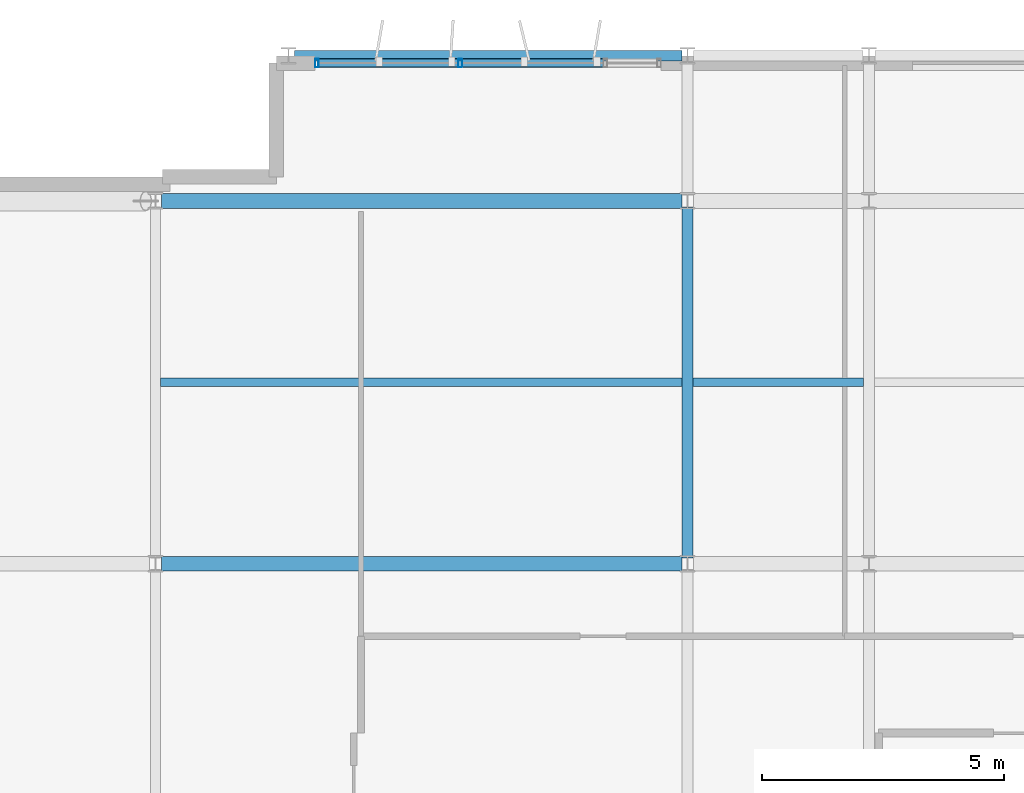
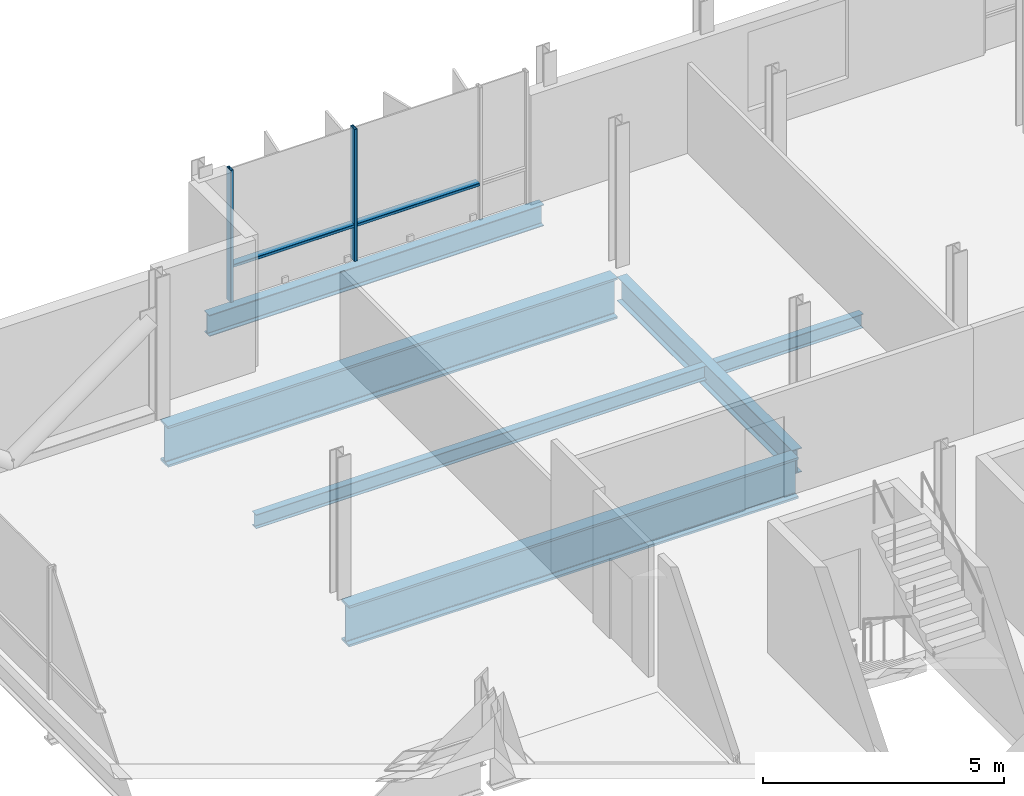
# One storey, part 5 of 18: 6 beams, 4 members, 1 element without a shape of its own.
"""IFC4 building model written with IfcOpenShell, lengths in metres."""

from ifc_helpers import new_model, si_unit, direction, frame, origin, origin_2d, place, context, subcontext, project, spatial, hollow_rectangle, i_section, extrude, material, layer, layer_set, material_profile, profile_set, type_object, element, aggregate, save


model = new_model("IFC4")

# Units and contexts
model_context = context("Model", 3, precision=1e-05, world=origin(), true_north=direction((0.0, 1.0)))
body_context = subcontext(model_context, "Body", "Model", "MODEL_VIEW")
ifc_project = project(units=[si_unit("LENGTHUNIT", "METRE"), si_unit("AREAUNIT", "SQUARE_METRE"), si_unit("VOLUMEUNIT", "CUBIC_METRE"), si_unit("PLANEANGLEUNIT", "RADIAN"), si_unit("MASSUNIT", "GRAM", prefix="KILO")], contexts=[model_context])

# Site, building, storey
site_placement = place(None, origin())
site = spatial("IfcSite", under=ifc_project, at=site_placement, CompositionType="ELEMENT")
building_placement = place(site_placement, origin())
building = spatial("IfcBuilding", under=site, at=building_placement, Name="Brevholm Reach", CompositionType="ELEMENT")
storey_placement = place(building_placement, frame((0.0, 0.0, 243.64990234375)))
storey = spatial("IfcBuildingStorey", under=building, at=storey_placement, Name="L74", CompositionType="ELEMENT", Elevation=243.64990234375)

# Beams
ifc_material_1 = material(Name="Structural Steel S355J2", Category="steel")
ifc_material_profile_1 = material_profile(ifc_material_1, i_section(OverallWidth=0.17138671875, OverallDepth=0.35498046875, WebThickness=0.00732421875, FlangeThickness=0.011474609375, FilletRadius=0.01025390625, at=origin_2d()), Name="UKB 356x171x51")
ifc_profile_set_1 = profile_set([ifc_material_profile_1], Name="Structural Steel S355J2")
beam_type_1 = type_object("IfcBeamType", Name="BM-B356", PredefinedType="BEAM", material=ifc_profile_set_1)
beam_1_placement = place(storey_placement, frame((27.35546875, 19.75, -0.427490234375), z_axis=(1.0, 0.0, 0.0), x_axis=(0.0, 1.0, 0.0)))
element("IfcBeam", 1, at=beam_1_placement, inside=storey, type_object=beam_type_1, Name="L74 Composite Secondary Floor Beam", PredefinedType="BEAM", context=body_context, shape_type="SweptSolid", body=[
    extrude(i_section(OverallWidth=0.17138671875, OverallDepth=0.35498046875, WebThickness=0.00732421875, FlangeThickness=0.011474609375, FilletRadius=0.01025390625, at=origin_2d()), origin(), (0.0, 0.0, 1.0), 10.780029296875),
])
beam_2_placement = place(storey_placement, frame((38.364501953125, 19.75, -0.427490234375), z_axis=(1.0, 0.0, 0.0), x_axis=(0.0, 1.0, 0.0)))
element("IfcBeam", 2, at=beam_2_placement, inside=storey, type_object=beam_type_1, Name="L74 Composite Secondary Floor Beam", PredefinedType="BEAM", context=body_context, shape_type="SweptSolid", body=[
    extrude(i_section(OverallWidth=0.17138671875, OverallDepth=0.35498046875, WebThickness=0.00732421875, FlangeThickness=0.011474609375, FilletRadius=0.01025390625, at=origin_2d()), origin(), (0.0, 0.0, 1.0), 3.52099609375),
])
ifc_material_2 = material(Name="Structural Steel S355J2", Category="steel")
ifc_material_profile_2 = material_profile(ifc_material_2, i_section(OverallWidth=0.210693359375, OverallDepth=0.53955078125, WebThickness=0.01171875, FlangeThickness=0.018798828125, FilletRadius=0.0126953125, at=origin_2d()), Name="UKB 533x210x109")
ifc_profile_set_2 = profile_set([ifc_material_profile_2], Name="Structural Steel S355J2")
beam_type_2 = type_object("IfcBeamType", Name="BM-SP539", PredefinedType="SPANDREL", material=ifc_profile_set_2)
beam_3_placement = place(storey_placement, frame((30.1201171875, 26.5, -0.51953125), z_axis=(1.0, 0.0, 0.0), x_axis=(0.0, 1.0, 0.0)))
element("IfcBeam", 3, at=beam_3_placement, inside=storey, type_object=beam_type_2, Name="L74 SP-01B Framing Beam", PredefinedType="SPANDREL", context=body_context, shape_type="SweptSolid", body=[
    extrude(i_section(OverallWidth=0.210693359375, OverallDepth=0.53955078125, WebThickness=0.01171875, FlangeThickness=0.018798828125, FilletRadius=0.0126953125, at=origin_2d()), origin(), (0.0, 0.0, 1.0), 8.009765625),
])
ifc_material_3 = material(Name="Structural Steel S355J2", Category="steel")
ifc_material_profile_3 = material_profile(ifc_material_3, i_section(OverallWidth=0.22900390625, OverallDepth=0.6123046875, WebThickness=0.011962890625, FlangeThickness=0.01953125, FilletRadius=0.0126953125, at=origin_2d()), Name="UKB 610x229x125")
ifc_profile_set_3 = profile_set([ifc_material_profile_3], Name="Structural Steel S355J2")
beam_type_3 = type_object("IfcBeamType", Name="BM-SP610", PredefinedType="SPANDREL", material=ifc_profile_set_3)
beam_4_placement = place(storey_placement, frame((38.25, 16.1201171875, -0.555908203125), z_axis=(0.0, 1.0, 0.0), x_axis=(-1.0, 0.0, 0.0)))
element("IfcBeam", 4, at=beam_4_placement, inside=storey, type_object=beam_type_3, Name="L74 SP-01 Framing Beam", PredefinedType="SPANDREL", context=body_context, shape_type="SweptSolid", body=[
    extrude(i_section(OverallWidth=0.22900390625, OverallDepth=0.6123046875, WebThickness=0.011962890625, FlangeThickness=0.01953125, FilletRadius=0.0126953125, at=origin_2d()), origin(), (0.0, 0.0, 1.0), 7.259765625),
])
ifc_material_4 = material(Name="Structural Steel S460ML", Category="steel")
ifc_material_profile_4 = material_profile(ifc_material_4, i_section(OverallWidth=0.30859375, OverallDepth=1.036376953125, WebThickness=0.030029296875, FlangeThickness=0.05419921875, FilletRadius=0.030029296875, at=origin_2d()), Name="UKB 1016x305x487")
ifc_profile_set_4 = profile_set([ifc_material_profile_4], Name="Structural Steel S460ML")
beam_type_4 = type_object("IfcBeamType", Name="BM-UKB1016", PredefinedType="USERDEFINED", material=ifc_profile_set_4)
for number, where, z_axis, x_axis, name in (
    (5, (27.3701171875, 16.0, -0.76806640625), (1.0, 0.0, 0.0), (0.0, 1.0, 0.0), "L74 Sky-Lounge Back-Span Girder 1"),
    (6, (27.3701171875, 23.5, -0.76806640625), (1.0, 0.0, 0.0), (0.0, 1.0, 0.0), "L74 Sky-Lounge Back-Span Girder 1"),
):
    element("IfcBeam", number, at=place(storey_placement, frame(where, z_axis=z_axis, x_axis=x_axis)), inside=storey, type_object=beam_type_4, Name=name, ObjectType="GIRDER", PredefinedType="USERDEFINED", context=body_context, shape_type="SweptSolid", body=[
        extrude(i_section(OverallWidth=0.30859375, OverallDepth=1.036376953125, WebThickness=0.030029296875, FlangeThickness=0.05419921875, FilletRadius=0.030029296875, at=origin_2d()), origin(), (0.0, 0.0, 1.0), 10.759765625),
    ])

# Curtain wall, members
ifc_material_5 = material(Name="Dark Anodised Aluminium 6063-T6 and Solar-Control Glass", Category="aluminium")
ifc_layer = layer(ifc_material_5, 0.179931640625)
ifc_layer_set = layer_set([ifc_layer], Name="Dark Anodised Aluminium 6063-T6 and Solar-Control Glass")
curtain_wall_type = type_object("IfcCurtainWallType", Name="CW-05", PredefinedType="NOTDEFINED", material=ifc_layer_set)
curtain_wall_placement = place(storey_placement, origin())
curtain_wall = element("IfcCurtainWall", 7, at=curtain_wall_placement, inside=storey, type_object=curtain_wall_type, Name="L74 Curtain Wall CW-05", PredefinedType="NOTDEFINED")
ifc_material_6 = material(Name="Dark Anodised Aluminium 6063-T6", Category="aluminium")
ifc_material_profile_5 = material_profile(ifc_material_6, hollow_rectangle(XDim=0.074951171875, YDim=0.179931640625, WallThickness=0.006103515625, InnerFilletRadius=0.006103515625, OuterFilletRadius=0.011962890625, at=origin_2d()), Name="RHS 180x75x6")
ifc_profile_set_5 = profile_set([ifc_material_profile_5], Name="Dark Anodised Aluminium 6063-T6")
member_type_1 = type_object("IfcMemberType", Name="CWM-180", PredefinedType="MULLION", material=ifc_profile_set_5)
member_1_placement = place(storey_placement, frame((30.58740234375, 26.35009765625, 0.0), z_axis=(0.0, 0.0, 1.0), x_axis=(1.0, 0.0, 0.0)))
member_1 = element("IfcMember", 8, at=member_1_placement, type_object=member_type_1, Name="CM-180 Mullion 1", PredefinedType="MULLION", context=body_context, shape_type="SweptSolid", body=[
    extrude(hollow_rectangle(XDim=0.074951171875, YDim=0.179931640625, WallThickness=0.006103515625, InnerFilletRadius=0.006103515625, OuterFilletRadius=0.011962890625, at=origin_2d()), origin(), (0.0, 0.0, 1.0), 3.340087890625),
])
member_2_placement = place(storey_placement, frame((33.550048828125, 26.35009765625, 0.0), z_axis=(0.0, 0.0, 1.0), x_axis=(1.0, 0.0, 0.0)))
member_2 = element("IfcMember", 9, at=member_2_placement, type_object=member_type_1, Name="CM-180 Mullion 2", PredefinedType="MULLION", context=body_context, shape_type="SweptSolid", body=[
    extrude(hollow_rectangle(XDim=0.074951171875, YDim=0.179931640625, WallThickness=0.006103515625, InnerFilletRadius=0.006103515625, OuterFilletRadius=0.011962890625, at=origin_2d()), origin(), (0.0, 0.0, 1.0), 3.340087890625),
])
ifc_material_7 = material(Name="Dark Anodised Aluminium 6063-T6", Category="aluminium")
ifc_material_profile_6 = material_profile(ifc_material_7, hollow_rectangle(XDim=0.074951171875, YDim=0.179931640625, WallThickness=0.006103515625, InnerFilletRadius=0.006103515625, OuterFilletRadius=0.011962890625, at=origin_2d()), Name="RHS 180x75x6")
ifc_profile_set_6 = profile_set([ifc_material_profile_6], Name="Dark Anodised Aluminium 6063-T6")
member_type_2 = type_object("IfcMemberType", Name="CWT-180", PredefinedType="NOTDEFINED", material=ifc_profile_set_6)
member_3_placement = place(storey_placement, frame((30.625, 26.35009765625, 0.900146484375), z_axis=(1.0, 0.0, 0.0), x_axis=(0.0, 0.0, 1.0)))
member_3 = element("IfcMember", 10, at=member_3_placement, type_object=member_type_2, Name="CT-180 Transom 1.1", ObjectType="TRANSOM", PredefinedType="USERDEFINED", context=body_context, shape_type="SweptSolid", body=[
    extrude(hollow_rectangle(XDim=0.074951171875, YDim=0.179931640625, WallThickness=0.006103515625, InnerFilletRadius=0.006103515625, OuterFilletRadius=0.011962890625, at=origin_2d()), origin(), (0.0, 0.0, 1.0), 2.887451171875),
])
member_4_placement = place(storey_placement, frame((33.58740234375, 26.35009765625, 0.900146484375), z_axis=(1.0, 0.0, 0.0), x_axis=(0.0, 0.0, 1.0)))
member_4 = element("IfcMember", 11, at=member_4_placement, type_object=member_type_2, Name="CT-180 Transom 2.1", ObjectType="TRANSOM", PredefinedType="USERDEFINED", context=body_context, shape_type="SweptSolid", body=[
    extrude(hollow_rectangle(XDim=0.074951171875, YDim=0.179931640625, WallThickness=0.006103515625, InnerFilletRadius=0.006103515625, OuterFilletRadius=0.011962890625, at=origin_2d()), origin(), (0.0, 0.0, 1.0), 2.925048828125),
])
aggregate(curtain_wall, [member_1, member_2, member_3, member_4])

save(model, "model.ifc")
